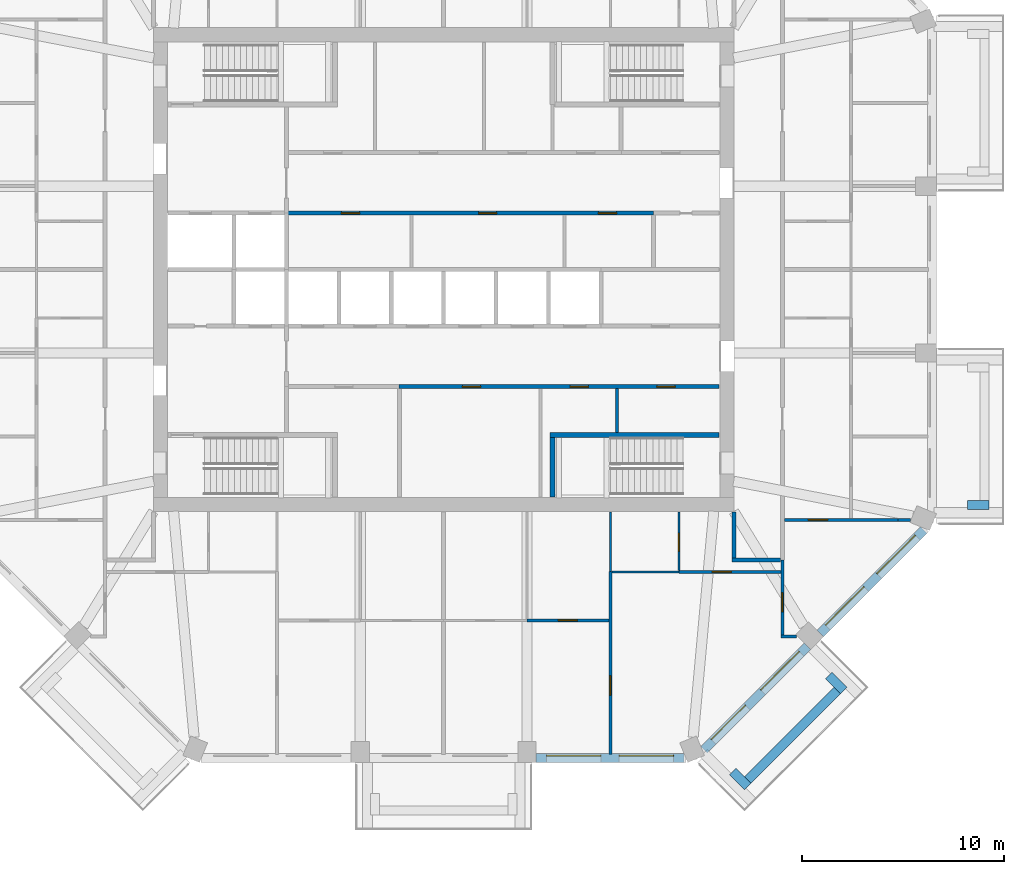
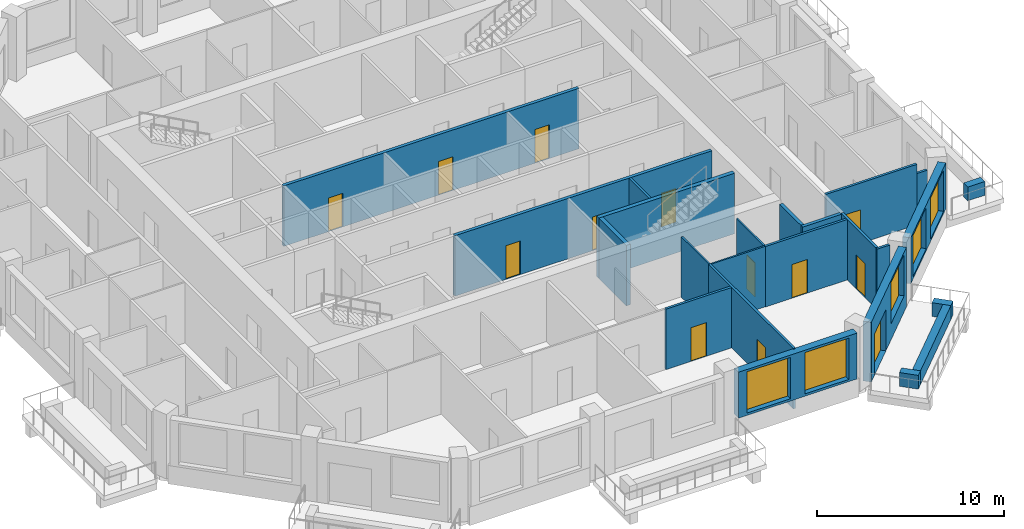
# One storey, part 5 of 12: 24 walls, 13 doors, 5 windows, 18 openings.
"""IFC4 building model written with IfcOpenShell, lengths in metres."""

import ifcopenshell
import ifcopenshell.guid

model = None  # the IFC model being written
_history = None  # IfcOwnerHistory: only IFC2X3 demands one
_inside = {}  # id of a spatial element -> (the spatial element, [elements in it])
_under = {}  # id of a project, library or spatial element -> (it, [spatial elements below it])
_declared = {}  # id of a project -> (the project, [libraries it declares])
_typed = {}  # id of a type object -> (the type object, [elements of that type])
_made_of = {}  # id of a material, layer set ... -> (it, [elements and type objects made of it])


def new_model(schema):
    """Start an empty IFC model of exactly this schema.

    Asked for "IFC4X3", IfcOpenShell would pick the latest addendum, in which some entities
    have other attributes; the version numbers below select the first issue.
    IFC2X3 requires an IfcOwnerHistory on every rooted entity: one is made here for all.
    """
    global model, _history
    if schema == "IFC4X3":
        model = ifcopenshell.file(schema_version=(4, 3, 0, 0))
    else:
        model = ifcopenshell.file(schema=schema)
    _inside.clear()
    _under.clear()
    _declared.clear()
    _typed.clear()
    _made_of.clear()
    _history = None
    if model.schema == "IFC2X3":
        org = make("IfcOrganization", Name="unknown")
        user = make(
            "IfcPersonAndOrganization",
            ThePerson=make("IfcPerson", FamilyName="unknown"),
            TheOrganization=org,
        )
        app = make(
            "IfcApplication",
            ApplicationDeveloper=org,
            Version="unknown",
            ApplicationFullName="unknown",
            ApplicationIdentifier="unknown",
        )
        _history = make(
            "IfcOwnerHistory",
            OwningUser=user,
            OwningApplication=app,
            ChangeAction="ADDED",
            CreationDate=0,
        )
    return model


def make(cls, **values):
    """One entity of the class cls with the attributes given. An attribute that is None is left unset."""
    return model.create_entity(
        cls, **{name: value for name, value in values.items() if value is not None}
    )


def rooted(cls, **values):
    """An entity with a GlobalId (a new one), such as an element, a storey or a relation."""
    return make(cls, GlobalId=ifcopenshell.guid.new(), OwnerHistory=_history, **values)


def si_unit(unit_type, name, prefix=None):
    """IfcSIUnit, for example si_unit("LENGTHUNIT", "METRE", prefix="MILLI")."""
    return make("IfcSIUnit", UnitType=unit_type, Prefix=prefix, Name=name)


def assignment(units):
    """IfcUnitAssignment: the units of a project."""
    return None if units is None else make("IfcUnitAssignment", Units=units)


def point(xyz):
    """IfcCartesianPoint."""
    return None if xyz is None else make("IfcCartesianPoint", Coordinates=xyz)


def direction(xyz):
    """IfcDirection."""
    return None if xyz is None else make("IfcDirection", DirectionRatios=xyz)


def frame(location, z_axis=None, x_axis=None):
    """IfcAxis2Placement3D, a coordinate frame: its origin and axes. An axis left out is left unset."""
    return make(
        "IfcAxis2Placement3D",
        Location=point(location),
        Axis=direction(z_axis),
        RefDirection=direction(x_axis),
    )


def frame_2d(location, x_axis=None):
    """IfcAxis2Placement2D, a coordinate frame in the plane: its origin and x axis."""
    return make(
        "IfcAxis2Placement2D", Location=point(location), RefDirection=direction(x_axis)
    )


def origin():
    """The frame at (0, 0, 0) with its axes left unset."""
    return frame((0.0, 0.0, 0.0))


def place(relative_to, where):
    """IfcLocalPlacement: puts the frame where relative to a parent placement (None: the world)."""
    return make(
        "IfcLocalPlacement", PlacementRelTo=relative_to, RelativePlacement=where
    )


def context(
    kind, dimensions, precision=None, world=None, true_north=None, identifier=None
):
    """IfcGeometricRepresentationContext, for example the 3D "Model" context."""
    return make(
        "IfcGeometricRepresentationContext",
        ContextIdentifier=identifier,
        ContextType=kind,
        CoordinateSpaceDimension=dimensions,
        Precision=precision,
        WorldCoordinateSystem=world,
        TrueNorth=true_north,
    )


def subcontext(parent, identifier, kind, view, scale=None):
    """IfcGeometricRepresentationSubContext, for example "Body" below "Model"."""
    return make(
        "IfcGeometricRepresentationSubContext",
        ContextIdentifier=identifier,
        ContextType=kind,
        ParentContext=parent,
        TargetScale=scale,
        TargetView=view,
    )


def project(units=None, contexts=None):
    """IfcProject with its units and contexts."""
    return rooted(
        "IfcProject",
        Name="project",
        RepresentationContexts=contexts,
        UnitsInContext=assignment(units),
    )


def spatial(cls, under=None, at=None, **own):
    """A site, building, storey or space (cls), placed at a placement, below another one or the project."""
    s = rooted(cls, ObjectPlacement=at, **own)
    if under is not None:
        _under.setdefault(under.id(), (under, []))[1].append(s)
    return s


def profile(cls, at=None, kind="AREA", **sizes):
    """A parametric profile (cls). Its sizes go by their IFC names, for example OverallWidth=200.0."""
    return make(cls, ProfileType=kind, Position=at, **sizes)


def rectangle(**sizes):
    """IfcRectangleProfileDef."""
    return profile("IfcRectangleProfileDef", **sizes)


def extrude(swept, where, along, depth):
    """IfcExtrudedAreaSolid: the profile swept, set in the frame where, extruded along a direction by depth."""
    return make(
        "IfcExtrudedAreaSolid",
        SweptArea=swept,
        Position=where,
        ExtrudedDirection=direction(along),
        Depth=depth,
    )


def shape(context_of_items, identifier, shape_type, items):
    """IfcShapeRepresentation: the items that make up one representation, for example the "Body"."""
    return make(
        "IfcShapeRepresentation",
        ContextOfItems=context_of_items,
        RepresentationIdentifier=identifier,
        RepresentationType=shape_type,
        Items=items,
    )


def material(Name=None, Category=None):
    """IfcMaterial."""
    return make("IfcMaterial", Name=Name, Category=Category)


def layer(
    of_material, thickness, ventilated=None, Name=None, Category=None, Priority=None
):
    """IfcMaterialLayer: one layer of a wall or slab, of a material (None: an air gap)."""
    return make(
        "IfcMaterialLayer",
        Material=of_material,
        LayerThickness=thickness,
        IsVentilated=ventilated,
        Name=Name,
        Category=Category,
        Priority=Priority,
    )


def layer_set(layers, Name=None):
    """IfcMaterialLayerSet."""
    return make("IfcMaterialLayerSet", MaterialLayers=layers, LayerSetName=Name)


def made_of(thing, what):
    """Note that an element or type object is made of a material, layer set ...; save() writes the relation."""
    if what is not None:
        _made_of.setdefault(what.id(), (what, []))[1].append(thing)
    return thing


def type_object(cls, material=None, **own):
    """A type object (cls), such as IfcWallType, which elements share."""
    return made_of(rooted(cls, **own), material)


def element(
    cls,
    number,
    at=None,
    inside=None,
    cuts=None,
    type_object=None,
    material=None,
    context=None,
    identifier="Body",
    shape_type=None,
    held_by="IfcProductDefinitionShape",
    body=None,
    shapes=None,
    **own,
):
    """One element of the class cls, such as IfcWall. Its Tag is "e" and its number.

    at: its placement. inside: the storey or other place that contains it. cuts: it is an
    opening in that element (IfcRelVoidsElement). A single representation is given by context,
    identifier, shape_type and body (its items); several are given by shapes. held_by: the class
    of the entity that holds the representations. save() writes the other relations.
    """
    e = rooted(cls, Tag="e%d" % number, ObjectPlacement=at, **own)
    if body is not None:
        shapes = [shape(context, identifier, shape_type, body)]
    if shapes is not None:
        e.Representation = make(held_by, Representations=shapes)
    if inside is not None:
        _inside.setdefault(inside.id(), (inside, []))[1].append(e)
    if cuts is not None:
        rooted(
            "IfcRelVoidsElement", RelatingBuildingElement=cuts, RelatedOpeningElement=e
        )
    if type_object is not None:
        _typed.setdefault(type_object.id(), (type_object, []))[1].append(e)
    return made_of(e, material)


def fill(opening, filler):
    """IfcRelFillsElement: the door or window that sits in an opening."""
    return rooted(
        "IfcRelFillsElement",
        RelatingOpeningElement=opening,
        RelatedBuildingElement=filler,
    )


def aggregate(whole, parts):
    """IfcRelAggregates: a whole, such as a stair, and the parts it consists of."""
    return rooted("IfcRelAggregates", RelatingObject=whole, RelatedObjects=parts)


def save(model, path):
    """Write the relations noted so far, then the file.

    IfcRelAggregates (storeys below a building ...), IfcRelContainedInSpatialStructure (elements
    in a storey), IfcRelDefinesByType, IfcRelAssociatesMaterial and IfcRelDeclares: one each for
    every whole, place, type object, material and project.
    """
    for whole, parts in _under.values():
        aggregate(whole, parts)
    for where, things in _inside.values():
        rooted(
            "IfcRelContainedInSpatialStructure",
            RelatedElements=things,
            RelatingStructure=where,
        )
    for kind, things in _typed.values():
        rooted("IfcRelDefinesByType", RelatedObjects=things, RelatingType=kind)
    for what, things in _made_of.values():
        rooted("IfcRelAssociatesMaterial", RelatedObjects=things, RelatingMaterial=what)
    for by, libraries in _declared.values():
        rooted("IfcRelDeclares", RelatingContext=by, RelatedDefinitions=libraries)
    model.write(path)


model = new_model("IFC4")

# Units and contexts
model_context = context("Model", 3, precision=1e-05, world=origin(), true_north=direction((0.0, 1.0)))
body_context = subcontext(model_context, "Body", "Model", "MODEL_VIEW")
ifc_project = project(units=[si_unit("LENGTHUNIT", "METRE"), si_unit("AREAUNIT", "SQUARE_METRE"), si_unit("VOLUMEUNIT", "CUBIC_METRE"), si_unit("PLANEANGLEUNIT", "RADIAN"), si_unit("MASSUNIT", "GRAM", prefix="KILO")], contexts=[model_context])

# Site, building, storey
site_placement = place(None, origin())
site = spatial("IfcSite", under=ifc_project, at=site_placement, CompositionType="ELEMENT")
building_placement = place(site_placement, origin())
building = spatial("IfcBuilding", under=site, at=building_placement, Name="Msitu Wima Residences", CompositionType="ELEMENT")
storey_placement = place(building_placement, frame((0.0, 0.0, 166.5)))
storey = spatial("IfcBuildingStorey", under=building, at=storey_placement, Name="L38", CompositionType="ELEMENT", Elevation=166.5)

# Walls
ifc_material_1 = material(Name="Facing brick")
ifc_layer_1 = layer(ifc_material_1, 0.06494140625, Name="Facing brick")
ifc_material_2 = material(Name="Concrete C40/50", Category="concrete")
ifc_layer_2 = layer(ifc_material_2, 0.156005859375, Name="Concrete C40/50")
ifc_material_3 = material(Name="Waterproofing membrane")
ifc_layer_3 = layer(ifc_material_3, 0.00390625, Name="Waterproofing membrane")
ifc_material_4 = material(Name="Planting soil and planting")
ifc_layer_4 = layer(ifc_material_4, 0.22509765625, Name="Planting soil and planting")
ifc_layer_set_1 = layer_set([ifc_layer_1, ifc_layer_2, ifc_layer_3, ifc_layer_4], Name="Concrete C40/50")
wall_type_1 = type_object("IfcWallType", Name="Balcony planter PLANTER PL450", PredefinedType="USERDEFINED", material=ifc_layer_set_1)
wall_1_placement = place(storey_placement, frame((26.0, -11.686767578125, 0.0), z_axis=(0.0, 0.0, 1.0), x_axis=(1.0, 0.0, 0.0)))
element("IfcWall", 1, at=wall_1_placement, inside=storey, type_object=wall_type_1, Name="Balcony planter E0 L38", ObjectType="PLANTER", PredefinedType="USERDEFINED", context=body_context, shape_type="SweptSolid", body=[
    extrude(rectangle(XDim=1.050048828125, YDim=0.449951171875, at=frame_2d((0.52490234375, 0.0))), origin(), (0.0, 0.0, 1.0), 0.89990234375),
])
wall_2_placement = place(storey_placement, frame((15.0810546875, -25.325927734375, 0.0), z_axis=(0.0, 0.0, 1.0), x_axis=(0.707106781187, 0.707106781187, 0.0)))
element("IfcWall", 2, at=wall_2_placement, inside=storey, type_object=wall_type_1, Name="Balcony planter SE0 L38", ObjectType="PLANTER", PredefinedType="USERDEFINED", context=body_context, shape_type="SweptSolid", body=[
    extrude(rectangle(XDim=6.294189453125, YDim=0.449951171875, at=frame_2d((3.14697265625, 0.0))), origin(), (0.0, 0.0, 1.0), 0.89990234375),
])
for number, where, z_axis, x_axis, name in (
    (3, (14.338623046875, -24.901611328125, 0.0), (0.0, 0.0, 1.0), (0.707106781187, -0.707106781187, 0.0), "Balcony planter SE0 L38"),
    (4, (19.107421875, -20.1328125, 0.0), (0.0, 0.0, 1.0), (0.707106781187, -0.707106781187, 0.0), "Balcony planter SE0 L38"),
):
    element("IfcWall", number, at=place(storey_placement, frame(where, z_axis=z_axis, x_axis=x_axis)), inside=storey, type_object=wall_type_1, Name=name, ObjectType="PLANTER", PredefinedType="USERDEFINED", context=body_context, shape_type="SweptSolid", body=[
        extrude(rectangle(XDim=1.050048828125, YDim=0.449951171875, at=frame_2d((0.52490234375, 0.0))), origin(), (0.0, 0.0, 1.0), 0.89990234375),
    ])

# Wall, openings, windows
ifc_material_5 = material(Name="Brick (red buff mix)", Category="masonry")
ifc_layer_5 = layer(ifc_material_5, 0.449951171875)
ifc_layer_set_2 = layer_set([ifc_layer_5], Name="Brick (red buff mix)")
wall_type_2 = type_object("IfcWallType", Name="Brick infill wall BW450", PredefinedType="SOLIDWALL", material=ifc_layer_set_2)
wall_3_placement = place(storey_placement, frame((4.587158203125, -24.22509765625, 0.89990234375), z_axis=(0.0, 0.0, 1.0), x_axis=(1.0, 0.0, 0.0)))
wall_3 = element("IfcWall", 5, at=wall_3_placement, inside=storey, type_object=wall_type_2, Name="Brick infill wall L38 S2", PredefinedType="SOLIDWALL", context=body_context, shape_type="SweptSolid", body=[
    extrude(rectangle(XDim=7.337646484375, YDim=0.449951171875, at=frame_2d((3.6689453125, 0.0))), origin(), (0.0, 0.0, 1.0), 3.0),
])
opening_1_placement = place(wall_3_placement, frame((0.518798828125, 0.0, 0.14990234375)))
opening_1 = element("IfcOpeningElement", 6, at=opening_1_placement, cuts=wall_3, Name="Opening W38-39.019", PredefinedType="OPENING", context=body_context, shape_type="SweptSolid", body=[
    extrude(rectangle(XDim=2.699951171875, YDim=2.699951171875, at=frame_2d((1.35009765625, 1.35009765625))), frame((0.0, 0.23486328125, 0.0), z_axis=(0.0, -1.0, 0.0), x_axis=(1.0, 0.0, 0.0)), (0.0, 0.0, 1.0), 0.469970703125),
])
opening_2_placement = place(wall_3_placement, frame((4.11865234375, 0.0, 0.14990234375)))
opening_2 = element("IfcOpeningElement", 7, at=opening_2_placement, cuts=wall_3, Name="Opening W38-39.020", PredefinedType="OPENING", context=body_context, shape_type="SweptSolid", body=[
    extrude(rectangle(XDim=2.699951171875, YDim=2.699951171875, at=frame_2d((1.35009765625, 1.35009765625))), frame((0.0, 0.23486328125, 0.0), z_axis=(0.0, -1.0, 0.0), x_axis=(1.0, 0.0, 0.0)), (0.0, 0.0, 1.0), 0.469970703125),
])
ifc_material_6 = material(Name="Anodised aluminium, bronze finish, clear low-emissivity double glazing", Category="aluminium")
window_type = type_object("IfcWindowType", Name="Window W2700x2700", PartitioningType="DOUBLE_PANEL_VERTICAL", PredefinedType="WINDOW", material=ifc_material_6)
window_1_placement = place(opening_1_placement, origin())
window_1 = element("IfcWindow", 8, at=window_1_placement, inside=storey, type_object=window_type, Name="Window L38 S2.1", OverallHeight=2.699951171875, OverallWidth=2.699951171875, PartitioningType="SINGLE_PANEL", PredefinedType="WINDOW", context=body_context, shape_type="SweptSolid", body=[
    extrude(rectangle(XDim=2.699951171875, YDim=2.699951171875, at=frame_2d((1.35009765625, 1.35009765625))), frame((0.0, 0.135009765625, 0.0), z_axis=(0.0, -1.0, 0.0), x_axis=(1.0, 0.0, 0.0)), (0.0, 0.0, 1.0), 0.06005859375),
])
fill(opening_1, window_1)
window_2_placement = place(opening_2_placement, origin())
window_2 = element("IfcWindow", 9, at=window_2_placement, inside=storey, type_object=window_type, Name="Window L38 S2.2", OverallHeight=2.699951171875, OverallWidth=2.699951171875, PartitioningType="SINGLE_PANEL", PredefinedType="WINDOW", context=body_context, shape_type="SweptSolid", body=[
    extrude(rectangle(XDim=2.699951171875, YDim=2.699951171875, at=frame_2d((1.35009765625, 1.35009765625))), frame((0.0, 0.135009765625, 0.0), z_axis=(0.0, -1.0, 0.0), x_axis=(1.0, 0.0, 0.0)), (0.0, 0.0, 1.0), 0.06005859375),
])
fill(opening_2, window_2)

# Wall, openings, door, window
wall_4_placement = place(storey_placement, frame((12.915283203125, -23.814697265625, 0.0), z_axis=(0.0, 0.0, 1.0), x_axis=(0.707106781187, 0.707106781187, 0.0)))
wall_4 = element("IfcWall", 10, at=wall_4_placement, inside=storey, type_object=wall_type_2, Name="Brick infill wall L38 SE0", PredefinedType="SOLIDWALL", context=body_context, shape_type="SweptSolid", body=[
    extrude(rectangle(XDim=7.257080078125, YDim=0.449951171875, at=frame_2d((3.62841796875, 0.0))), origin(), (0.0, 0.0, 1.0), 3.89990234375),
])
opening_3_placement = place(wall_4_placement, frame((0.6142578125, 0.0, 0.0)))
opening_3 = element("IfcOpeningElement", 11, at=opening_3_placement, cuts=wall_4, Name="Opening D38-39.007", PredefinedType="OPENING", context=body_context, shape_type="SweptSolid", body=[
    extrude(rectangle(XDim=2.39990234375, YDim=2.699951171875, at=frame_2d((1.199951171875, 1.35009765625))), frame((0.0, 0.23486328125, 0.0), z_axis=(0.0, -1.0, 0.0), x_axis=(1.0, 0.0, 0.0)), (0.0, 0.0, 1.0), 0.469970703125),
])
opening_4_placement = place(wall_4_placement, frame((4.07861328125, 0.0, 1.050048828125)))
opening_4 = element("IfcOpeningElement", 12, at=opening_4_placement, cuts=wall_4, Name="Opening W38-39.021", PredefinedType="OPENING", context=body_context, shape_type="SweptSolid", body=[
    extrude(rectangle(XDim=2.699951171875, YDim=2.699951171875, at=frame_2d((1.35009765625, 1.35009765625))), frame((0.0, 0.23486328125, 0.0), z_axis=(0.0, -1.0, 0.0), x_axis=(1.0, 0.0, 0.0)), (0.0, 0.0, 1.0), 0.469970703125),
])
door_type_1 = type_object("IfcDoorType", Name="Balcony door D2400x2700", OperationType="SLIDING_TO_LEFT", PredefinedType="DOOR", material=ifc_material_6)
door_1_placement = place(opening_3_placement, origin())
door_1 = element("IfcDoor", 13, at=door_1_placement, inside=storey, type_object=door_type_1, Name="Balcony door L38 SE0", OperationType="SINGLE_SWING_LEFT", OverallHeight=2.699951171875, OverallWidth=2.39990234375, PredefinedType="DOOR", context=body_context, shape_type="SweptSolid", body=[
    extrude(rectangle(XDim=2.39990234375, YDim=2.699951171875, at=frame_2d((1.199951171875, 1.35009765625))), frame((0.0, 0.1298828125, 0.0), z_axis=(0.0, -1.0, 0.0), x_axis=(1.0, 0.0, 0.0)), (0.0, 0.0, 1.0), 0.050048828125),
])
fill(opening_3, door_1)
window_3_placement = place(opening_4_placement, origin())
window_3 = element("IfcWindow", 14, at=window_3_placement, inside=storey, type_object=window_type, Name="Window L38 SE0.2", OverallHeight=2.699951171875, OverallWidth=2.699951171875, PartitioningType="SINGLE_PANEL", PredefinedType="WINDOW", context=body_context, shape_type="SweptSolid", body=[
    extrude(rectangle(XDim=2.699951171875, YDim=2.699951171875, at=frame_2d((1.35009765625, 1.35009765625))), frame((0.0, 0.135009765625, 0.0), z_axis=(0.0, -1.0, 0.0), x_axis=(1.0, 0.0, 0.0)), (0.0, 0.0, 1.0), 0.06005859375),
])
fill(opening_4, window_3)

# Wall, openings, windows
wall_5_placement = place(storey_placement, frame((18.68310546875, -18.046875, 0.89990234375), z_axis=(0.0, 0.0, 1.0), x_axis=(0.707106781187, 0.707106781187, 0.0)))
wall_5 = element("IfcWall", 15, at=wall_5_placement, inside=storey, type_object=wall_type_2, Name="Brick infill wall L38 SE1", PredefinedType="SOLIDWALL", context=body_context, shape_type="SweptSolid", body=[
    extrude(rectangle(XDim=7.257080078125, YDim=0.449951171875, at=frame_2d((3.62841796875, 0.0))), origin(), (0.0, 0.0, 1.0), 3.0),
])
opening_5_placement = place(wall_5_placement, frame((0.478515625, 0.0, 0.14990234375)))
opening_5 = element("IfcOpeningElement", 16, at=opening_5_placement, cuts=wall_5, Name="Opening W38-39.022", PredefinedType="OPENING", context=body_context, shape_type="SweptSolid", body=[
    extrude(rectangle(XDim=2.699951171875, YDim=2.699951171875, at=frame_2d((1.35009765625, 1.35009765625))), frame((0.0, 0.23486328125, 0.0), z_axis=(0.0, -1.0, 0.0), x_axis=(1.0, 0.0, 0.0)), (0.0, 0.0, 1.0), 0.469970703125),
])
opening_6_placement = place(wall_5_placement, frame((4.07861328125, 0.0, 0.14990234375)))
opening_6 = element("IfcOpeningElement", 17, at=opening_6_placement, cuts=wall_5, Name="Opening W38-39.023", PredefinedType="OPENING", context=body_context, shape_type="SweptSolid", body=[
    extrude(rectangle(XDim=2.699951171875, YDim=2.699951171875, at=frame_2d((1.35009765625, 1.35009765625))), frame((0.0, 0.23486328125, 0.0), z_axis=(0.0, -1.0, 0.0), x_axis=(1.0, 0.0, 0.0)), (0.0, 0.0, 1.0), 0.469970703125),
])
window_4_placement = place(opening_5_placement, origin())
window_4 = element("IfcWindow", 18, at=window_4_placement, inside=storey, type_object=window_type, Name="Window L38 SE1.1", OverallHeight=2.699951171875, OverallWidth=2.699951171875, PartitioningType="SINGLE_PANEL", PredefinedType="WINDOW", context=body_context, shape_type="SweptSolid", body=[
    extrude(rectangle(XDim=2.699951171875, YDim=2.699951171875, at=frame_2d((1.35009765625, 1.35009765625))), frame((0.0, 0.135009765625, 0.0), z_axis=(0.0, -1.0, 0.0), x_axis=(1.0, 0.0, 0.0)), (0.0, 0.0, 1.0), 0.06005859375),
])
fill(opening_5, window_4)
window_5_placement = place(opening_6_placement, origin())
window_5 = element("IfcWindow", 19, at=window_5_placement, inside=storey, type_object=window_type, Name="Window L38 SE1.2", OverallHeight=2.699951171875, OverallWidth=2.699951171875, PartitioningType="SINGLE_PANEL", PredefinedType="WINDOW", context=body_context, shape_type="SweptSolid", body=[
    extrude(rectangle(XDim=2.699951171875, YDim=2.699951171875, at=frame_2d((1.35009765625, 1.35009765625))), frame((0.0, 0.135009765625, 0.0), z_axis=(0.0, -1.0, 0.0), x_axis=(1.0, 0.0, 0.0)), (0.0, 0.0, 1.0), 0.06005859375),
])
fill(opening_6, window_5)

# Wall, openings, doors
ifc_material_7 = material(Name="Plaster")
ifc_layer_6 = layer(ifc_material_7, 0.011962890625, Name="Plaster")
ifc_material_8 = material(Name="Concrete blockwork", Category="masonry")
ifc_layer_7 = layer(ifc_material_8, 0.176025390625, Name="Concrete blockwork")
ifc_layer_8 = layer(ifc_material_7, 0.011962890625, Name="Plaster")
ifc_layer_set_3 = layer_set([ifc_layer_6, ifc_layer_7, ifc_layer_8], Name="Concrete blockwork")
wall_type_3 = type_object("IfcWallType", Name="Corridor wall FW200", PredefinedType="PARTITIONING", material=ifc_layer_set_3)
wall_6_placement = place(storey_placement, frame((-7.820068359375, 2.800048828125, 0.0), z_axis=(0.0, 0.0, 1.0), x_axis=(1.0, 0.0, 0.0)))
wall_6 = element("IfcWall", 20, at=wall_6_placement, inside=storey, type_object=wall_type_3, Name="Corridor wall", PredefinedType="PARTITIONING", context=body_context, shape_type="SweptSolid", body=[
    extrude(rectangle(XDim=18.239990234375, YDim=0.199951171875, at=frame_2d((9.1201171875, 0.0))), origin(), (0.0, 0.0, 1.0), 3.949951171875),
])
opening_7_placement = place(wall_6_placement, frame((2.75, 0.0, 0.0)))
opening_7 = element("IfcOpeningElement", 21, at=opening_7_placement, cuts=wall_6, Name="Opening D38-39.075", PredefinedType="OPENING", context=body_context, shape_type="SweptSolid", body=[
    extrude(rectangle(XDim=0.89990234375, YDim=2.199951171875, at=frame_2d((0.449951171875, 1.10009765625))), frame((0.0, 0.10986328125, 0.0), z_axis=(0.0, -1.0, 0.0), x_axis=(1.0, 0.0, 0.0)), (0.0, 0.0, 1.0), 0.219970703125),
])
opening_8_placement = place(wall_6_placement, frame((9.550048828125, 0.0, 0.0)))
opening_8 = element("IfcOpeningElement", 22, at=opening_8_placement, cuts=wall_6, Name="Opening D38-39.076", PredefinedType="OPENING", context=body_context, shape_type="SweptSolid", body=[
    extrude(rectangle(XDim=0.89990234375, YDim=2.199951171875, at=frame_2d((0.449951171875, 1.10009765625))), frame((0.0, 0.10986328125, 0.0), z_axis=(0.0, -1.0, 0.0), x_axis=(1.0, 0.0, 0.0)), (0.0, 0.0, 1.0), 0.219970703125),
])
opening_9_placement = place(wall_6_placement, frame((15.5, 0.0, 0.0)))
opening_9 = element("IfcOpeningElement", 23, at=opening_9_placement, cuts=wall_6, Name="Opening D38-39.077", PredefinedType="OPENING", context=body_context, shape_type="SweptSolid", body=[
    extrude(rectangle(XDim=0.89990234375, YDim=2.199951171875, at=frame_2d((0.449951171875, 1.10009765625))), frame((0.0, 0.10986328125, 0.0), z_axis=(0.0, -1.0, 0.0), x_axis=(1.0, 0.0, 0.0)), (0.0, 0.0, 1.0), 0.219970703125),
])
ifc_material_9 = material(Name="Timber flush door", Category="wood")
door_type_2 = type_object("IfcDoorType", Name="Service door D05 900x2200", OperationType="SINGLE_SWING_LEFT", PredefinedType="DOOR", material=ifc_material_9)
door_2_placement = place(opening_7_placement, origin())
door_2 = element("IfcDoor", 24, at=door_2_placement, inside=storey, type_object=door_type_2, Name="Service door", OperationType="SINGLE_SWING_LEFT", OverallHeight=2.199951171875, OverallWidth=0.89990234375, PredefinedType="DOOR", context=body_context, shape_type="SweptSolid", body=[
    extrude(rectangle(XDim=0.89990234375, YDim=2.199951171875, at=frame_2d((0.449951171875, 1.10009765625))), frame((0.0, 0.02490234375, 0.0), z_axis=(0.0, -1.0, 0.0), x_axis=(1.0, 0.0, 0.0)), (0.0, 0.0, 1.0), 0.050048828125),
])
fill(opening_7, door_2)
door_3_placement = place(opening_8_placement, origin())
door_3 = element("IfcDoor", 25, at=door_3_placement, inside=storey, type_object=door_type_2, Name="Service door", OperationType="SINGLE_SWING_LEFT", OverallHeight=2.199951171875, OverallWidth=0.89990234375, PredefinedType="DOOR", context=body_context, shape_type="SweptSolid", body=[
    extrude(rectangle(XDim=0.89990234375, YDim=2.199951171875, at=frame_2d((0.449951171875, 1.10009765625))), frame((0.0, 0.02490234375, 0.0), z_axis=(0.0, -1.0, 0.0), x_axis=(1.0, 0.0, 0.0)), (0.0, 0.0, 1.0), 0.050048828125),
])
fill(opening_8, door_3)
door_4_placement = place(opening_9_placement, origin())
door_4 = element("IfcDoor", 26, at=door_4_placement, inside=storey, type_object=door_type_2, Name="Service door", OperationType="SINGLE_SWING_RIGHT", OverallHeight=2.199951171875, OverallWidth=0.89990234375, PredefinedType="DOOR", context=body_context, shape_type="SweptSolid", body=[
    extrude(rectangle(XDim=0.89990234375, YDim=2.199951171875, at=frame_2d((0.449951171875, 1.10009765625))), frame((0.0, 0.02490234375, 0.0), z_axis=(0.0, -1.0, 0.0), x_axis=(1.0, 0.0, 0.0)), (0.0, 0.0, 1.0), 0.050048828125),
])
fill(opening_9, door_4)

wall_7_placement = place(storey_placement, frame((-2.219970703125, -5.800048828125, 0.0), z_axis=(0.0, 0.0, 1.0), x_axis=(1.0, 0.0, 0.0)))
wall_7 = element("IfcWall", 27, at=wall_7_placement, inside=storey, type_object=wall_type_3, Name="Corridor wall", PredefinedType="PARTITIONING", context=body_context, shape_type="SweptSolid", body=[
    extrude(rectangle(XDim=15.889892578125, YDim=0.199951171875, at=frame_2d((7.94482421875, 0.0))), origin(), (0.0, 0.0, 1.0), 3.949951171875),
])
opening_10_placement = place(wall_7_placement, frame((3.14990234375, 0.0, 0.0)))
opening_10 = element("IfcOpeningElement", 28, at=opening_10_placement, cuts=wall_7, Name="Opening D38-39.070", PredefinedType="OPENING", context=body_context, shape_type="SweptSolid", body=[
    extrude(rectangle(XDim=0.89990234375, YDim=2.199951171875, at=frame_2d((0.449951171875, 1.10009765625))), frame((0.0, 0.10986328125, 0.0), z_axis=(0.0, -1.0, 0.0), x_axis=(1.0, 0.0, 0.0)), (0.0, 0.0, 1.0), 0.219970703125),
])
opening_11_placement = place(wall_7_placement, frame((8.5, 0.0, 0.0)))
opening_11 = element("IfcOpeningElement", 29, at=opening_11_placement, cuts=wall_7, Name="Opening D38-39.071", PredefinedType="OPENING", context=body_context, shape_type="SweptSolid", body=[
    extrude(rectangle(XDim=0.89990234375, YDim=2.199951171875, at=frame_2d((0.449951171875, 1.10009765625))), frame((0.0, 0.10986328125, 0.0), z_axis=(0.0, -1.0, 0.0), x_axis=(1.0, 0.0, 0.0)), (0.0, 0.0, 1.0), 0.219970703125),
])
opening_12_placement = place(wall_7_placement, frame((12.800048828125, 0.0, 0.0)))
opening_12 = element("IfcOpeningElement", 30, at=opening_12_placement, cuts=wall_7, Name="Opening D38-39.072", PredefinedType="OPENING", context=body_context, shape_type="SweptSolid", body=[
    extrude(rectangle(XDim=0.89990234375, YDim=2.199951171875, at=frame_2d((0.449951171875, 1.10009765625))), frame((0.0, 0.10986328125, 0.0), z_axis=(0.0, -1.0, 0.0), x_axis=(1.0, 0.0, 0.0)), (0.0, 0.0, 1.0), 0.219970703125),
])
door_5_placement = place(opening_10_placement, origin())
door_5 = element("IfcDoor", 31, at=door_5_placement, inside=storey, type_object=door_type_2, Name="Service door", OperationType="SINGLE_SWING_LEFT", OverallHeight=2.199951171875, OverallWidth=0.89990234375, PredefinedType="DOOR", context=body_context, shape_type="SweptSolid", body=[
    extrude(rectangle(XDim=0.89990234375, YDim=2.199951171875, at=frame_2d((0.449951171875, 1.10009765625))), frame((0.0, 0.02490234375, 0.0), z_axis=(0.0, -1.0, 0.0), x_axis=(1.0, 0.0, 0.0)), (0.0, 0.0, 1.0), 0.050048828125),
])
fill(opening_10, door_5)
door_6_placement = place(opening_11_placement, origin())
door_6 = element("IfcDoor", 32, at=door_6_placement, inside=storey, type_object=door_type_2, Name="Service door", OperationType="SINGLE_SWING_LEFT", OverallHeight=2.199951171875, OverallWidth=0.89990234375, PredefinedType="DOOR", context=body_context, shape_type="SweptSolid", body=[
    extrude(rectangle(XDim=0.89990234375, YDim=2.199951171875, at=frame_2d((0.449951171875, 1.10009765625))), frame((0.0, 0.02490234375, 0.0), z_axis=(0.0, -1.0, 0.0), x_axis=(1.0, 0.0, 0.0)), (0.0, 0.0, 1.0), 0.050048828125),
])
fill(opening_11, door_6)
door_7_placement = place(opening_12_placement, origin())
door_7 = element("IfcDoor", 33, at=door_7_placement, inside=storey, type_object=door_type_2, Name="Service door", OperationType="SINGLE_SWING_RIGHT", OverallHeight=2.199951171875, OverallWidth=0.89990234375, PredefinedType="DOOR", context=body_context, shape_type="SweptSolid", body=[
    extrude(rectangle(XDim=0.89990234375, YDim=2.199951171875, at=frame_2d((0.449951171875, 1.10009765625))), frame((0.0, 0.02490234375, 0.0), z_axis=(0.0, -1.0, 0.0), x_axis=(1.0, 0.0, 0.0)), (0.0, 0.0, 1.0), 0.050048828125),
])
fill(opening_12, door_7)

# Walls
wall_8_placement = place(storey_placement, frame((14.39990234375, -14.300048828125, 0.0), z_axis=(0.0, 0.0, 1.0), x_axis=(0.0, 1.0, 0.0)))
element("IfcWall", 34, at=wall_8_placement, inside=storey, type_object=wall_type_3, Name="Corridor wall", PredefinedType="PARTITIONING", context=body_context, shape_type="SweptSolid", body=[
    extrude(rectangle(XDim=2.27001953125, YDim=0.199951171875, at=frame_2d((1.135009765625, 0.0))), origin(), (0.0, 0.0, 1.0), 3.949951171875),
])
wall_9_placement = place(storey_placement, frame((14.300048828125, -14.39990234375, 0.0), z_axis=(0.0, 0.0, 1.0), x_axis=(1.0, 0.0, 0.0)))
element("IfcWall", 35, at=wall_9_placement, inside=storey, type_object=wall_type_3, Name="Corridor wall", PredefinedType="PARTITIONING", context=body_context, shape_type="SweptSolid", body=[
    extrude(rectangle(XDim=2.39990234375, YDim=0.199951171875, at=frame_2d((1.199951171875, 0.0))), origin(), (0.0, 0.0, 1.0), 3.949951171875),
])

# Wall, opening, door
ifc_layer_9 = layer(ifc_material_7, 0.011962890625, Name="Plaster")
ifc_layer_10 = layer(ifc_material_8, 0.1259765625, Name="Concrete blockwork")
ifc_layer_11 = layer(ifc_material_7, 0.011962890625, Name="Plaster")
ifc_layer_set_4 = layer_set([ifc_layer_9, ifc_layer_10, ifc_layer_11], Name="Concrete blockwork")
wall_type_4 = type_object("IfcWallType", Name="Partition PW150", PredefinedType="PARTITIONING", material=ifc_layer_set_4)
wall_10_placement = place(storey_placement, frame((4.13720703125, -17.39990234375, 0.0), z_axis=(0.0, 0.0, 1.0), x_axis=(1.0, 0.0, 0.0)))
wall_10 = element("IfcWall", 36, at=wall_10_placement, inside=storey, type_object=wall_type_4, Name="Partition", PredefinedType="PARTITIONING", context=body_context, shape_type="SweptSolid", body=[
    extrude(rectangle(XDim=4.062255859375, YDim=0.14990234375, at=frame_2d((2.03125, 0.0))), origin(), (0.0, 0.0, 1.0), 3.949951171875),
])
opening_13_placement = place(wall_10_placement, frame((1.550048828125, 0.0, 0.0)))
opening_13 = element("IfcOpeningElement", 37, at=opening_13_placement, cuts=wall_10, Name="Opening D38-39.049", PredefinedType="OPENING", context=body_context, shape_type="SweptSolid", body=[
    extrude(rectangle(XDim=0.949951171875, YDim=2.199951171875, at=frame_2d((0.47509765625, 1.10009765625))), frame((0.0, 0.0849609375, 0.0), z_axis=(0.0, -1.0, 0.0), x_axis=(1.0, 0.0, 0.0)), (0.0, 0.0, 1.0), 0.169921875),
])
door_type_3 = type_object("IfcDoorType", Name="Room door D12 950x2200", OperationType="SINGLE_SWING_LEFT", PredefinedType="DOOR", material=ifc_material_9)
door_8_placement = place(opening_13_placement, origin())
door_8 = element("IfcDoor", 38, at=door_8_placement, inside=storey, type_object=door_type_3, Name="Room door", OperationType="SINGLE_SWING_LEFT", OverallHeight=2.199951171875, OverallWidth=0.949951171875, PredefinedType="DOOR", context=body_context, shape_type="SweptSolid", body=[
    extrude(rectangle(XDim=0.949951171875, YDim=2.199951171875, at=frame_2d((0.47509765625, 1.10009765625))), frame((0.0, 0.02490234375, 0.0), z_axis=(0.0, -1.0, 0.0), x_axis=(1.0, 0.0, 0.0)), (0.0, 0.0, 1.0), 0.050048828125),
])
fill(opening_13, door_8)

wall_11_placement = place(storey_placement, frame((8.2744140625, -24.054931640625, 0.0), z_axis=(0.0, 0.0, 1.0), x_axis=(0.0, 1.0, 0.0)))
wall_11 = element("IfcWall", 39, at=wall_11_placement, inside=storey, type_object=wall_type_4, Name="Partition", PredefinedType="PARTITIONING", context=body_context, shape_type="SweptSolid", body=[
    extrude(rectangle(XDim=9.074951171875, YDim=0.14990234375, at=frame_2d((4.53759765625, 0.0))), origin(), (0.0, 0.0, 1.0), 3.949951171875),
])
opening_14_placement = place(wall_11_placement, frame((2.949951171875, 0.0, 0.0)))
opening_14 = element("IfcOpeningElement", 40, at=opening_14_placement, cuts=wall_11, Name="Opening D38-39.056", PredefinedType="OPENING", context=body_context, shape_type="SweptSolid", body=[
    extrude(rectangle(XDim=0.949951171875, YDim=2.199951171875, at=frame_2d((0.47509765625, 1.10009765625))), frame((0.0, 0.0849609375, 0.0), z_axis=(0.0, -1.0, 0.0), x_axis=(1.0, 0.0, 0.0)), (0.0, 0.0, 1.0), 0.169921875),
])
door_9_placement = place(opening_14_placement, origin())
door_9 = element("IfcDoor", 41, at=door_9_placement, inside=storey, type_object=door_type_3, Name="Room door", OperationType="SINGLE_SWING_RIGHT", OverallHeight=2.199951171875, OverallWidth=0.949951171875, PredefinedType="DOOR", context=body_context, shape_type="SweptSolid", body=[
    extrude(rectangle(XDim=0.949951171875, YDim=2.199951171875, at=frame_2d((0.47509765625, 1.10009765625))), frame((0.0, 0.02490234375, 0.0), z_axis=(0.0, -1.0, 0.0), x_axis=(1.0, 0.0, 0.0)), (0.0, 0.0, 1.0), 0.050048828125),
])
fill(opening_14, door_9)

# Wall
wall_12_placement = place(storey_placement, frame((8.60009765625, -8.074951171875, 0.0), z_axis=(0.0, 0.0, 1.0), x_axis=(0.0, 1.0, 0.0)))
element("IfcWall", 42, at=wall_12_placement, inside=storey, type_object=wall_type_4, Name="Partition", PredefinedType="PARTITIONING", context=body_context, shape_type="SweptSolid", body=[
    extrude(rectangle(XDim=2.175048828125, YDim=0.14990234375, at=frame_2d((1.08740234375, 0.0))), origin(), (0.0, 0.0, 1.0), 3.949951171875),
])

# Wall, opening, door
wall_13_placement = place(storey_placement, frame((11.674560546875, -15.0, 0.0), z_axis=(0.0, 0.0, 1.0), x_axis=(1.0, 0.0, 0.0)))
wall_13 = element("IfcWall", 43, at=wall_13_placement, inside=storey, type_object=wall_type_4, Name="Partition", PredefinedType="PARTITIONING", context=body_context, shape_type="SweptSolid", body=[
    extrude(rectangle(XDim=5.050537109375, YDim=0.14990234375, at=frame_2d((2.525390625, 0.0))), origin(), (0.0, 0.0, 1.0), 3.949951171875),
])
opening_15_placement = place(wall_13_placement, frame((1.64990234375, 0.0, 0.0)))
opening_15 = element("IfcOpeningElement", 44, at=opening_15_placement, cuts=wall_13, Name="Opening D38-39.057", PredefinedType="OPENING", context=body_context, shape_type="SweptSolid", body=[
    extrude(rectangle(XDim=0.949951171875, YDim=2.199951171875, at=frame_2d((0.47509765625, 1.10009765625))), frame((0.0, 0.0849609375, 0.0), z_axis=(0.0, -1.0, 0.0), x_axis=(1.0, 0.0, 0.0)), (0.0, 0.0, 1.0), 0.169921875),
])
door_10_placement = place(opening_15_placement, origin())
door_10 = element("IfcDoor", 45, at=door_10_placement, inside=storey, type_object=door_type_3, Name="Room door", OperationType="SINGLE_SWING_LEFT", OverallHeight=2.199951171875, OverallWidth=0.949951171875, PredefinedType="DOOR", context=body_context, shape_type="SweptSolid", body=[
    extrude(rectangle(XDim=0.949951171875, YDim=2.199951171875, at=frame_2d((0.47509765625, 1.10009765625))), frame((0.0, 0.02490234375, 0.0), z_axis=(0.0, -1.0, 0.0), x_axis=(1.0, 0.0, 0.0)), (0.0, 0.0, 1.0), 0.050048828125),
])
fill(opening_15, door_10)

wall_14_placement = place(storey_placement, frame((16.800048828125, -18.130859375, 0.0), z_axis=(0.0, 0.0, 1.0), x_axis=(0.0, 1.0, 0.0)))
wall_14 = element("IfcWall", 46, at=wall_14_placement, inside=storey, type_object=wall_type_4, Name="Partition", PredefinedType="PARTITIONING", context=body_context, shape_type="SweptSolid", body=[
    extrude(rectangle(XDim=3.73095703125, YDim=0.14990234375, at=frame_2d((1.865478515625, 0.0))), origin(), (0.0, 0.0, 1.0), 3.949951171875),
])
opening_16_placement = place(wall_14_placement, frame((1.14990234375, 0.0, 0.0)))
opening_16 = element("IfcOpeningElement", 47, at=opening_16_placement, cuts=wall_14, Name="Opening D38-39.055", PredefinedType="OPENING", context=body_context, shape_type="SweptSolid", body=[
    extrude(rectangle(XDim=0.949951171875, YDim=2.199951171875, at=frame_2d((0.47509765625, 1.10009765625))), frame((0.0, 0.0849609375, 0.0), z_axis=(0.0, -1.0, 0.0), x_axis=(1.0, 0.0, 0.0)), (0.0, 0.0, 1.0), 0.169921875),
])
door_11_placement = place(opening_16_placement, origin())
door_11 = element("IfcDoor", 48, at=door_11_placement, inside=storey, type_object=door_type_3, Name="Room door", OperationType="SINGLE_SWING_RIGHT", OverallHeight=2.199951171875, OverallWidth=0.949951171875, PredefinedType="DOOR", context=body_context, shape_type="SweptSolid", body=[
    extrude(rectangle(XDim=0.949951171875, YDim=2.199951171875, at=frame_2d((0.47509765625, 1.10009765625))), frame((0.0, 0.02490234375, 0.0), z_axis=(0.0, -1.0, 0.0), x_axis=(1.0, 0.0, 0.0)), (0.0, 0.0, 1.0), 0.050048828125),
])
fill(opening_16, door_11)

# Wall
wall_15_placement = place(storey_placement, frame((16.72509765625, -18.205810546875, 0.0), z_axis=(0.0, 0.0, 1.0), x_axis=(1.0, 0.0, 0.0)))
element("IfcWall", 49, at=wall_15_placement, inside=storey, type_object=wall_type_4, Name="Partition", PredefinedType="PARTITIONING", context=body_context, shape_type="SweptSolid", body=[
    extrude(rectangle(XDim=0.784423828125, YDim=0.14990234375, at=frame_2d((0.39208984375, 0.0))), origin(), (0.0, 0.0, 1.0), 3.949951171875),
])

# Wall, opening, door
wall_16_placement = place(storey_placement, frame((16.89990234375, -12.411865234375, 0.0), z_axis=(0.0, 0.0, 1.0), x_axis=(1.0, 0.0, 0.0)))
wall_16 = element("IfcWall", 50, at=wall_16_placement, inside=storey, type_object=wall_type_4, Name="Partition", PredefinedType="PARTITIONING", context=body_context, shape_type="SweptSolid", body=[
    extrude(rectangle(XDim=5.638427734375, YDim=0.14990234375, at=frame_2d((2.8193359375, 0.0))), origin(), (0.0, 0.0, 1.0), 3.949951171875),
])
opening_17_placement = place(wall_16_placement, frame((1.199951171875, 0.0, 0.0)))
opening_17 = element("IfcOpeningElement", 51, at=opening_17_placement, cuts=wall_16, Name="Opening D38-39.054", PredefinedType="OPENING", context=body_context, shape_type="SweptSolid", body=[
    extrude(rectangle(XDim=0.949951171875, YDim=2.199951171875, at=frame_2d((0.47509765625, 1.10009765625))), frame((0.0, 0.0849609375, 0.0), z_axis=(0.0, -1.0, 0.0), x_axis=(1.0, 0.0, 0.0)), (0.0, 0.0, 1.0), 0.169921875),
])
door_12_placement = place(opening_17_placement, origin())
door_12 = element("IfcDoor", 52, at=door_12_placement, inside=storey, type_object=door_type_3, Name="Room door", OperationType="SINGLE_SWING_RIGHT", OverallHeight=2.199951171875, OverallWidth=0.949951171875, PredefinedType="DOOR", context=body_context, shape_type="SweptSolid", body=[
    extrude(rectangle(XDim=0.949951171875, YDim=2.199951171875, at=frame_2d((0.47509765625, 1.10009765625))), frame((0.0, 0.02490234375, 0.0), z_axis=(0.0, -1.0, 0.0), x_axis=(1.0, 0.0, 0.0)), (0.0, 0.0, 1.0), 0.050048828125),
])
fill(opening_17, door_12)

# Walls
wall_17_placement = place(storey_placement, frame((22.538330078125, -12.411865234375, 0.0), z_axis=(0.0, 0.0, 1.0), x_axis=(1.0, 0.0, 0.0)))
element("IfcWall", 53, at=wall_17_placement, inside=storey, type_object=wall_type_4, Name="Partition", PredefinedType="PARTITIONING", context=body_context, shape_type="SweptSolid", body=[
    extrude(rectangle(XDim=0.630615234375, YDim=0.14990234375, at=frame_2d((0.3154296875, 0.0))), origin(), (0.0, 0.0, 1.0), 3.35009765625),
])
ifc_material_10 = material(Name="Concrete C50/60", Category="concrete")
ifc_layer_12 = layer(ifc_material_10, 0.25)
ifc_layer_set_5 = layer_set([ifc_layer_12], Name="Concrete C50/60")
wall_type_5 = type_object("IfcWallType", Name="Stair enclosure wall SW250", PredefinedType="SHEAR", material=ifc_layer_set_5)
wall_18_placement = place(storey_placement, frame((5.39990234375, -11.27001953125, 0.0), z_axis=(0.0, 0.0, 1.0), x_axis=(0.0, 1.0, 0.0)))
element("IfcWall", 54, at=wall_18_placement, inside=storey, type_object=wall_type_5, Name="Stair enclosure wall", PredefinedType="SHEAR", context=body_context, shape_type="SweptSolid", body=[
    extrude(rectangle(XDim=2.945068359375, YDim=0.25, at=frame_2d((1.47265625, 0.0))), origin(), (0.0, 0.0, 1.0), 3.949951171875),
])
wall_19_placement = place(storey_placement, frame((5.27490234375, -8.199951171875, 0.0), z_axis=(0.0, 0.0, 1.0), x_axis=(1.0, 0.0, 0.0)))
element("IfcWall", 55, at=wall_19_placement, inside=storey, type_object=wall_type_5, Name="Stair enclosure wall", PredefinedType="SHEAR", context=body_context, shape_type="SweptSolid", body=[
    extrude(rectangle(XDim=8.39501953125, YDim=0.25, at=frame_2d((4.197509765625, 0.0))), origin(), (0.0, 0.0, 1.0), 3.949951171875),
])
ifc_material_11 = material(Name="Ceramic tiles")
ifc_layer_13 = layer(ifc_material_11, 0.008056640625, Name="Ceramic tiles")
ifc_material_12 = material(Name="Moisture-resistant board")
ifc_layer_14 = layer(ifc_material_12, 0.012451171875, Name="Moisture-resistant board")
ifc_material_13 = material(Name="Light-gauge stud framing with mineral wool")
ifc_layer_15 = layer(ifc_material_13, 0.06689453125, Name="Light-gauge stud framing with mineral wool")
ifc_layer_16 = layer(ifc_material_12, 0.012451171875, Name="Moisture-resistant board")
ifc_layer_set_6 = layer_set([ifc_layer_13, ifc_layer_14, ifc_layer_15, ifc_layer_16], Name="Light-gauge stud framing with mineral wool")
wall_type_6 = type_object("IfcWallType", Name="Wet wall PW100", PredefinedType="PARTITIONING", material=ifc_layer_set_6)
wall_20_placement = place(storey_placement, frame((8.2744140625, -14.97998046875, 0.0), z_axis=(0.0, 0.0, 1.0), x_axis=(0.0, 1.0, 0.0)))
element("IfcWall", 56, at=wall_20_placement, inside=storey, type_object=wall_type_6, Name="Wet wall", PredefinedType="PARTITIONING", context=body_context, shape_type="SweptSolid", body=[
    extrude(rectangle(XDim=2.949951171875, YDim=0.10009765625, at=frame_2d((1.47509765625, 0.0))), origin(), (0.0, 0.0, 1.0), 3.949951171875),
])
wall_21_placement = place(storey_placement, frame((8.349609375, -15.0, 0.0), z_axis=(0.0, 0.0, 1.0), x_axis=(1.0, 0.0, 0.0)))
element("IfcWall", 57, at=wall_21_placement, inside=storey, type_object=wall_type_6, Name="Wet wall", PredefinedType="PARTITIONING", context=body_context, shape_type="SweptSolid", body=[
    extrude(rectangle(XDim=3.324951171875, YDim=0.10009765625, at=frame_2d((1.66259765625, 0.0))), origin(), (0.0, 0.0, 1.0), 3.949951171875),
])

# Wall, opening, door
wall_22_placement = place(storey_placement, frame((11.674560546875, -14.925048828125, 0.0), z_axis=(0.0, 0.0, 1.0), x_axis=(0.0, 1.0, 0.0)))
wall_22 = element("IfcWall", 58, at=wall_22_placement, inside=storey, type_object=wall_type_6, Name="Wet wall", PredefinedType="PARTITIONING", context=body_context, shape_type="SweptSolid", body=[
    extrude(rectangle(XDim=2.89501953125, YDim=0.10009765625, at=frame_2d((1.447509765625, 0.0))), origin(), (0.0, 0.0, 1.0), 3.949951171875),
])
opening_18_placement = place(wall_22_placement, frame((0.949951171875, 0.0, 0.0)))
opening_18 = element("IfcOpeningElement", 59, at=opening_18_placement, cuts=wall_22, Name="Opening D38-39.050", PredefinedType="OPENING", context=body_context, shape_type="SweptSolid", body=[
    extrude(rectangle(XDim=0.89990234375, YDim=2.199951171875, at=frame_2d((0.449951171875, 1.10009765625))), frame((0.0, 0.06005859375, 0.0), z_axis=(0.0, -1.0, 0.0), x_axis=(1.0, 0.0, 0.0)), (0.0, 0.0, 1.0), 0.1201171875),
])
door_13_placement = place(opening_18_placement, origin())
door_13 = element("IfcDoor", 60, at=door_13_placement, inside=storey, type_object=door_type_2, Name="Service door", OperationType="SINGLE_SWING_LEFT", OverallHeight=2.199951171875, OverallWidth=0.89990234375, PredefinedType="DOOR", context=body_context, shape_type="SweptSolid", body=[
    extrude(rectangle(XDim=0.89990234375, YDim=2.199951171875, at=frame_2d((0.449951171875, 1.10009765625))), frame((0.0, 0.02490234375, 0.0), z_axis=(0.0, -1.0, 0.0), x_axis=(1.0, 0.0, 0.0)), (0.0, 0.0, 1.0), 0.050048828125),
])
fill(opening_18, door_13)

save(model, "model.ifc")
